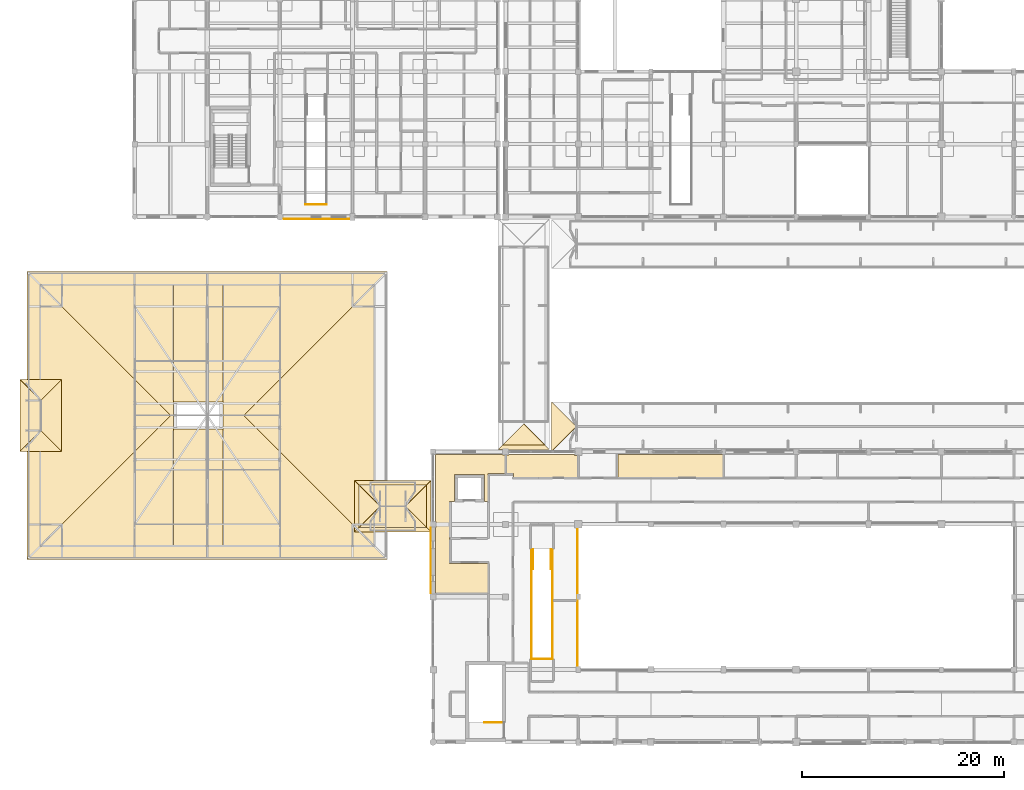
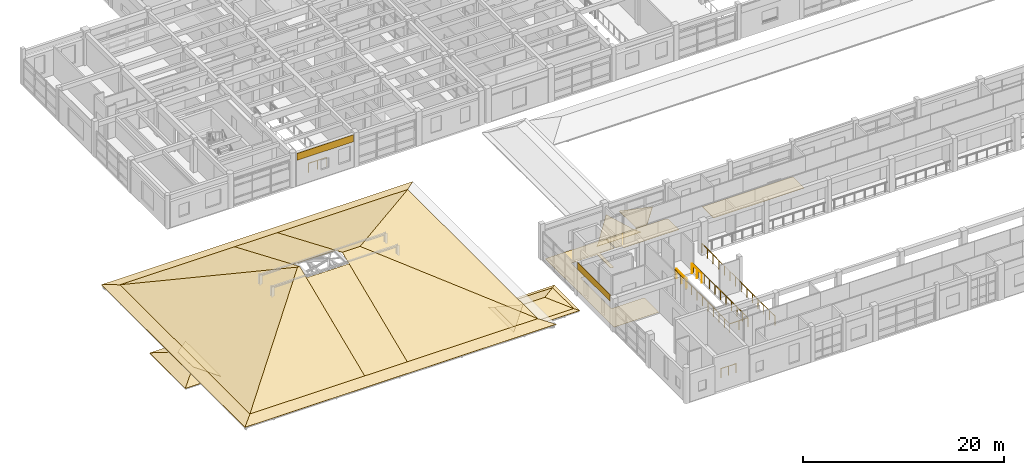
# One storey, part 99 of 110: 31 coverings, 8 railings.
"""IFC4 building model written with IfcOpenShell, lengths in metres."""

from ifc_helpers import new_model, si_unit, direction, frame, origin, origin_2d, place, context, subcontext, project, spatial, polyline, rectangle, circle, outline, extrude, material, layer, layer_set, type_object, element, save


model = new_model("IFC4")

# Units and contexts
model_context = context("Model", 3, precision=1e-05, world=origin(), true_north=direction((0.0, 1.0)))
body_context = subcontext(model_context, "Body", "Model", "MODEL_VIEW")
ifc_project = project(units=[si_unit("LENGTHUNIT", "METRE"), si_unit("AREAUNIT", "SQUARE_METRE"), si_unit("VOLUMEUNIT", "CUBIC_METRE"), si_unit("PLANEANGLEUNIT", "RADIAN"), si_unit("MASSUNIT", "GRAM", prefix="KILO")], contexts=[model_context])

# Site, building, storey
site_placement = place(None, origin())
site = spatial("IfcSite", under=ifc_project, at=site_placement, CompositionType="ELEMENT")
building_placement = place(site_placement, origin())
building = spatial("IfcBuilding", under=site, at=building_placement, Name="Steenspoor Specialist Clinic", CompositionType="ELEMENT")
storey_placement = place(building_placement, frame((0.0, 0.0, 4.800048828125)))
storey = spatial("IfcBuildingStorey", under=building, at=storey_placement, Name="L01", CompositionType="ELEMENT", Elevation=4.800048828125)

# Coverings
ifc_material_1 = material(Name="Glazed ceramic relief spandrel cladding", Category="masonry")
ifc_layer_1 = layer(ifc_material_1, 0.034912109375)
ifc_layer_set_1 = layer_set([ifc_layer_1], Name="Glazed ceramic relief spandrel cladding")
covering_type_1 = type_object("IfcCoveringType", Name="COV-CLAD-CERAMIC", PredefinedType="CLADDING", material=ifc_layer_set_1)
for number, where, z_axis, x_axis, name in (
    (1, (44.969970703125, 31.0625, 3.36474609375), (0.0, 0.0, 1.0), (0.0, 1.0, 0.0), "Spandrel Cladding 7"),
    (2, (33.637451171875, 64.919921875, 3.11474609375), (0.0, 0.0, 1.0), (-1.0, 0.0, 0.0), "Spandrel Cladding 70"),
):
    element("IfcCovering", number, at=place(storey_placement, frame(where, z_axis=z_axis, x_axis=x_axis)), inside=storey, type_object=covering_type_1, Name=name, PredefinedType="CLADDING", context=body_context, shape_type="SweptSolid", body=[
        extrude(rectangle(XDim=6.5048828125, YDim=0.0400390625, at=origin_2d()), origin(), (0.0, 0.0, 1.0), 0.840087890625),
    ])
ifc_material_2 = material(Name="Seamless clinical vinyl and terrazzo flooring", Category="plastic")
ifc_layer_2 = layer(ifc_material_2, 0.02001953125)
ifc_layer_set_2 = layer_set([ifc_layer_2], Name="Seamless clinical vinyl and terrazzo flooring")
covering_type_2 = type_object("IfcCoveringType", Name="COV-FLOOR-VINYL", PredefinedType="FLOORING", material=ifc_layer_set_2)
covering_1_placement = place(storey_placement, origin())
element("IfcCovering", 3, at=covering_1_placement, inside=storey, type_object=covering_type_2, Name="Clinical Vinyl Flooring 144", PredefinedType="FLOORING", context=body_context, shape_type="SweptSolid", body=[
    extrude(outline(polyline([(50.635009765625, 39.675048828125), (50.635009765625, 36.9150390625), (50.2900390625, 36.9150390625), (50.2900390625, 39.614990234375), (47.31005859375, 39.614990234375), (47.31005859375, 36.9150390625), (46.8349609375, 36.9150390625), (46.8349609375, 30.784912109375), (50.635009765625, 30.784912109375), (50.635009765625, 27.864990234375), (45.4599609375, 27.864990234375), (45.4599609375, 34.360107421875), (45.489990234375, 34.360107421875), (45.489990234375, 34.93994140625), (45.4599609375, 34.93994140625), (45.4599609375, 41.5849609375), (45.465087890625, 41.5849609375), (45.465087890625, 41.590087890625), (52.0849609375, 41.590087890625), (52.0849609375, 41.534912109375), (52.3349609375, 41.534912109375), (52.3349609375, 39.675048828125), (50.635009765625, 39.675048828125)])), origin(), (0.0, 0.0, 1.0), 0.02001953125),
])
covering_2_placement = place(storey_placement, origin())
element("IfcCovering", 4, at=covering_2_placement, inside=storey, type_object=covering_type_2, Name="Clinical Vinyl Flooring 148", PredefinedType="FLOORING", context=body_context, shape_type="SweptSolid", body=[
    extrude(outline(polyline([(59.235107421875, 41.590087890625), (59.235107421875, 41.485107421875), (59.534912109375, 41.485107421875), (59.534912109375, 39.31494140625), (53.1650390625, 39.31494140625), (53.1650390625, 39.675048828125), (52.465087890625, 39.675048828125), (52.465087890625, 41.534912109375), (52.715087890625, 41.534912109375), (52.715087890625, 41.590087890625), (59.235107421875, 41.590087890625)])), origin(), (0.0, 0.0, 1.0), 0.02001953125),
])
covering_3_placement = place(storey_placement, origin())
element("IfcCovering", 5, at=covering_3_placement, inside=storey, type_object=covering_type_2, Name="Clinical Vinyl Flooring 149", PredefinedType="FLOORING", context=body_context, shape_type="SweptSolid", body=[
    extrude(outline(polyline([(73.784912109375, 41.590087890625), (73.784912109375, 41.56005859375), (73.93505859375, 41.56005859375), (73.93505859375, 39.31494140625), (63.514892578125, 39.31494140625), (63.514892578125, 41.590087890625), (73.784912109375, 41.590087890625)])), origin(), (0.0, 0.0, 1.0), 0.02001953125),
])
ifc_material_3 = material(Name="Extruded terracotta clay roof tile", Category="masonry")
ifc_layer_3 = layer(ifc_material_3, 0.044921875)
ifc_layer_set_3 = layer_set([ifc_layer_3], Name="Extruded terracotta clay roof tile")
covering_type_3 = type_object("IfcCoveringType", Name="COV-ROOF-TILE", PredefinedType="ROOFING", material=ifc_layer_set_3)
covering_4_placement = place(storey_placement, frame((4.89990234375, 31.14990234375, 0.0478515625), z_axis=(0.0, -0.241957600267, 0.970286823405), x_axis=(1.0, 0.0, 0.0)))
element("IfcCovering", 6, at=covering_4_placement, inside=storey, type_object=covering_type_3, Name="Clay Tile Roofing V3 SKS", PredefinedType="ROOFING", context=body_context, shape_type="SweptSolid", body=[
    extrude(outline(polyline([(0.0, 0.0), (35.800048828125, 0.0), (34.4501953125, 1.391441812548071), (1.35009765625, 1.391441812548071), (0.0, 0.0)])), origin(), (0.0, 0.0, -1.0), 0.044921875),
])
covering_5_placement = place(storey_placement, frame((40.699951171875, 59.75, 0.0478515625), z_axis=(0.0, 0.241957600267, 0.970286823405), x_axis=(-1.0, 0.0, 0.0)))
element("IfcCovering", 7, at=covering_5_placement, inside=storey, type_object=covering_type_3, Name="Clay Tile Roofing V3 SKN", PredefinedType="ROOFING", context=body_context, shape_type="SweptSolid", body=[
    extrude(outline(polyline([(0.0, 0.0), (35.800048828125, 0.0), (34.449951171875, 1.391441812548071), (1.349853515625, 1.391441812548071), (0.0, 0.0)])), origin(), (0.0, 0.0, -1.0), 0.044921875),
])
covering_6_placement = place(storey_placement, frame((4.89990234375, 59.75, 0.0478515625), z_axis=(-0.241957600267, 0.0, 0.970286823405), x_axis=(0.0, -1.0, 0.0)))
element("IfcCovering", 8, at=covering_6_placement, inside=storey, type_object=covering_type_3, Name="Clay Tile Roofing V3 SKW", PredefinedType="ROOFING", context=body_context, shape_type="SweptSolid", body=[
    extrude(outline(polyline([(0.0, 0.0), (28.60009765625, 0.0), (27.25, 1.391441812548071), (1.35009765625, 1.391441812548071), (0.0, 0.0)])), origin(), (0.0, 0.0, -1.0), 0.044921875),
])
covering_7_placement = place(storey_placement, frame((19.449951171875, 32.5, 0.384521484375), z_axis=(0.0, -0.388707647825, 0.921361147717), x_axis=(0.0, 0.921361147717, 0.388707647825)))
element("IfcCovering", 9, at=covering_7_placement, inside=storey, type_object=covering_type_3, Name="Clay Tile Roofing V3 S1", PredefinedType="ROOFING", context=body_context, shape_type="SweptSolid", body=[
    extrude(outline(polyline([(0.0, 0.0), (14.055239038422794, 0.0), (14.055239038422794, 0.25), (0.0, 13.199951171875), (0.0, 0.0)])), origin(), (0.0, 0.0, -1.0), 0.044921875),
])
covering_8_placement = place(storey_placement, frame((24.35009765625, 45.449951171875, 5.847900390625), z_axis=(0.0, -0.388707647825, 0.921361147717), x_axis=(0.0, -0.921361147717, -0.388707647825)))
element("IfcCovering", 10, at=covering_8_placement, inside=storey, type_object=covering_type_3, Name="Clay Tile Roofing V3 S2", PredefinedType="ROOFING", context=body_context, shape_type="SweptSolid", body=[
    extrude(outline(polyline([(0.0, 0.0), (14.055239038422794, 0.0), (14.055239038422794, 15.0), (0.0, 2.0498046875), (0.0, 0.0)])), origin(), (0.0, 0.0, -1.0), 0.044921875),
])
covering_9_placement = place(storey_placement, frame((24.35009765625, 32.5, 0.384521484375), z_axis=(0.0, -0.388717481243, 0.921356999092), x_axis=(0.0, 0.921356999092, 0.388717481243)))
element("IfcCovering", 11, at=covering_9_placement, inside=storey, type_object=covering_type_3, Name="Clay Tile Roofing V3 S3", PredefinedType="ROOFING", context=body_context, shape_type="SweptSolid", body=[
    extrude(outline(polyline([(0.0, 0.0), (12.590231221645935, 0.0), (12.590231221645935, 4.900146484375), (0.0, 4.900146484375), (0.0, 0.0)])), origin(), (0.0, 0.0, -1.0), 0.044921875),
])
covering_10_placement = place(storey_placement, frame((19.449951171875, 45.449951171875, 5.847900390625), z_axis=(0.0, 0.388707647825, 0.921361147717), x_axis=(0.0, 0.921361147717, -0.388707647825)))
element("IfcCovering", 12, at=covering_10_placement, inside=storey, type_object=covering_type_3, Name="Clay Tile Roofing V3 N1", PredefinedType="ROOFING", context=body_context, shape_type="SweptSolid", body=[
    extrude(outline(polyline([(0.0, 0.0), (14.055239038422794, 0.0), (14.055239038422794, 13.199951171875), (0.0, 0.25), (0.0, 0.0)])), origin(), (0.0, 0.0, -1.0), 0.044921875),
])
covering_11_placement = place(storey_placement, frame((24.35009765625, 58.39990234375, 0.384521484375), z_axis=(0.0, 0.388707647825, 0.921361147717), x_axis=(0.0, -0.921361147717, 0.388707647825)))
element("IfcCovering", 13, at=covering_11_placement, inside=storey, type_object=covering_type_3, Name="Clay Tile Roofing V3 N2", PredefinedType="ROOFING", context=body_context, shape_type="SweptSolid", body=[
    extrude(outline(polyline([(0.0, 0.0), (14.055239038422794, 0.0), (14.055239038422794, 2.0498046875), (0.0, 15.0), (0.0, 0.0)])), origin(), (0.0, 0.0, -1.0), 0.044921875),
])
covering_12_placement = place(storey_placement, frame((19.449951171875, 58.39990234375, 0.384521484375), z_axis=(0.0, 0.388724426294, 0.921354068967), x_axis=(0.0, -0.921354068967, 0.388724426294)))
element("IfcCovering", 14, at=covering_12_placement, inside=storey, type_object=covering_type_3, Name="Clay Tile Roofing V3 N3", PredefinedType="ROOFING", context=body_context, shape_type="SweptSolid", body=[
    extrude(outline(polyline([(0.0, 0.0), (12.590006281330007, 0.0), (12.590006281330007, 4.900146484375), (0.0, 4.900146484375), (0.0, 0.0)])), origin(), (0.0, 0.0, -1.0), 0.044921875),
])
covering_13_placement = place(storey_placement, frame((6.25, 58.39990234375, 0.384521484375), z_axis=(-0.388707647825, 0.0, 0.921361147717), x_axis=(0.0, -1.0, 0.0)))
element("IfcCovering", 15, at=covering_13_placement, inside=storey, type_object=covering_type_3, Name="Clay Tile Roofing V3 W", PredefinedType="ROOFING", context=body_context, shape_type="SweptSolid", body=[
    extrude(outline(polyline([(0.0, 0.0), (25.89990234375, 0.0), (12.949951171875, 14.055239038422794), (0.0, 0.0)])), origin(), (0.0, 0.0, -1.0), 0.044921875),
])
covering_14_placement = place(storey_placement, frame((39.35009765625, 32.5, 0.384521484375), z_axis=(0.388701426994, 0.0, 0.921363772162), x_axis=(0.0, 1.0, 0.0)))
element("IfcCovering", 16, at=covering_14_placement, inside=storey, type_object=covering_type_3, Name="Clay Tile Roofing V3 E", PredefinedType="ROOFING", context=body_context, shape_type="SweptSolid", body=[
    extrude(outline(polyline([(0.0, 0.0), (25.89990234375, 0.0), (12.949951171875, 14.055463980429622), (0.0, 0.0)])), origin(), (0.0, 0.0, -1.0), 0.044921875),
])
covering_15_placement = place(storey_placement, frame((51.64990234375, 42.050048828125, -0.9521484375), z_axis=(0.0, -0.242164000082, 0.970235330765), x_axis=(1.0, 0.0, 0.0)))
element("IfcCovering", 17, at=covering_15_placement, inside=storey, type_object=covering_type_3, Name="Clay Tile Roofing WK1 SKS", PredefinedType="ROOFING", context=body_context, shape_type="SweptSolid", body=[
    extrude(outline(polyline([(0.0, 0.0), (5.10009765625, 0.0), (4.650146484375, 0.46375467642511), (0.4501953125, 0.46375467642511), (0.0, 0.0)])), origin(), (0.0, 0.0, -1.0), 0.044921875),
])
covering_16_placement = place(storey_placement, frame((52.10009765625, 42.5, -0.83984375), z_axis=(0.0, -0.537294141772, 0.84339492838), x_axis=(1.0, 0.0, 0.0)))
element("IfcCovering", 18, at=covering_16_placement, inside=storey, type_object=covering_type_3, Name="Clay Tile Roofing WK1 S", PredefinedType="ROOFING", context=body_context, shape_type="SweptSolid", body=[
    extrude(outline(polyline([(0.0, 0.0), (4.199951171875, 0.0), (2.099853515625, 2.490052507528633), (0.0, 0.0)])), origin(), (0.0, 0.0, -1.0), 0.044921875),
])
covering_17_placement = place(storey_placement, frame((37.39990234375, 33.89990234375, -1.4521484375), z_axis=(0.0, -0.242040370173, 0.970266179564), x_axis=(1.0, 0.0, 0.0)))
element("IfcCovering", 19, at=covering_17_placement, inside=storey, type_object=covering_type_3, Name="Clay Tile Roofing WK3 SKS", PredefinedType="ROOFING", context=body_context, shape_type="SweptSolid", body=[
    extrude(outline(polyline([(0.0, 0.0), (7.60009765625, 0.0), (7.150146484375, 0.463991554051844), (0.4501953125, 0.463991554051844), (0.0, 0.0)])), origin(), (0.0, 0.0, -1.0), 0.044921875),
])
covering_18_placement = place(storey_placement, frame((45.0, 39.0, -1.4521484375), z_axis=(0.0, 0.242164000082, 0.970235330765), x_axis=(-1.0, 0.0, 0.0)))
element("IfcCovering", 20, at=covering_18_placement, inside=storey, type_object=covering_type_3, Name="Clay Tile Roofing WK3 SKN", PredefinedType="ROOFING", context=body_context, shape_type="SweptSolid", body=[
    extrude(outline(polyline([(0.0, 0.0), (7.60009765625, 0.0), (7.14990234375, 0.46375467642511004), (0.449951171875, 0.46375467642511004), (0.0, 0.0)])), origin(), (0.0, 0.0, -1.0), 0.044921875),
])
covering_19_placement = place(storey_placement, frame((37.39990234375, 39.0, -1.4521484375), z_axis=(-0.242040370173, 0.0, 0.970266179564), x_axis=(0.0, -1.0, 0.0)))
element("IfcCovering", 21, at=covering_19_placement, inside=storey, type_object=covering_type_3, Name="Clay Tile Roofing WK3 SKW", PredefinedType="ROOFING", context=body_context, shape_type="SweptSolid", body=[
    extrude(outline(polyline([(0.0, 0.0), (5.10009765625, 0.0), (4.64990234375, 0.463991554051844), (0.449951171875, 0.463991554051844), (0.0, 0.0)])), origin(), (0.0, 0.0, -1.0), 0.044921875),
])
covering_20_placement = place(storey_placement, frame((45.0, 33.89990234375, -1.4521484375), z_axis=(0.242164000082, 0.0, 0.970235330765), x_axis=(0.0, 1.0, 0.0)))
element("IfcCovering", 22, at=covering_20_placement, inside=storey, type_object=covering_type_3, Name="Clay Tile Roofing WK3 SKE", PredefinedType="ROOFING", context=body_context, shape_type="SweptSolid", body=[
    extrude(outline(polyline([(0.0, 0.0), (5.10009765625, 0.0), (4.650146484375, 0.46375467642511), (0.4501953125, 0.46375467642511), (0.0, 0.0)])), origin(), (0.0, 0.0, -1.0), 0.044921875),
])
covering_21_placement = place(storey_placement, frame((37.85009765625, 34.35009765625, -1.33984375), z_axis=(0.0, -0.370608575736, 0.928789149157), x_axis=(1.0, 0.0, 0.0)))
element("IfcCovering", 23, at=covering_21_placement, inside=storey, type_object=covering_type_3, Name="Clay Tile Roofing WK3 S", PredefinedType="ROOFING", context=body_context, shape_type="SweptSolid", body=[
    extrude(outline(polyline([(0.0, 0.0), (6.699951171875, 0.0), (4.599853515625, 2.2608506112845146), (2.099853515625, 2.2608506112845146), (0.0, 0.0)])), origin(), (0.0, 0.0, -1.0), 0.044921875),
])
covering_22_placement = place(storey_placement, frame((44.550048828125, 38.550048828125, -1.33984375), z_axis=(0.0, 0.370571408463, 0.928803978905), x_axis=(-1.0, 0.0, 0.0)))
element("IfcCovering", 24, at=covering_22_placement, inside=storey, type_object=covering_type_3, Name="Clay Tile Roofing WK3 N", PredefinedType="ROOFING", context=body_context, shape_type="SweptSolid", body=[
    extrude(outline(polyline([(0.0, 0.0), (6.699951171875, 0.0), (4.60009765625, 2.261077368258246), (2.10009765625, 2.261077368258246), (0.0, 0.0)])), origin(), (0.0, 0.0, -1.0), 0.044921875),
])
covering_23_placement = place(storey_placement, frame((37.85009765625, 38.550048828125, -1.33984375), z_axis=(-0.370608575736, 0.0, 0.928789149157), x_axis=(0.0, -1.0, 0.0)))
element("IfcCovering", 25, at=covering_23_placement, inside=storey, type_object=covering_type_3, Name="Clay Tile Roofing WK3 W", PredefinedType="ROOFING", context=body_context, shape_type="SweptSolid", body=[
    extrude(outline(polyline([(0.0, 0.0), (4.199951171875, 0.0), (2.10009765625, 2.2608506112845146), (0.0, 0.0)])), origin(), (0.0, 0.0, -1.0), 0.044921875),
])
covering_24_placement = place(storey_placement, frame((44.550048828125, 34.35009765625, -1.33984375), z_axis=(0.370571408463, 0.0, 0.928803978905), x_axis=(0.0, 1.0, 0.0)))
element("IfcCovering", 26, at=covering_24_placement, inside=storey, type_object=covering_type_3, Name="Clay Tile Roofing WK3 E", PredefinedType="ROOFING", context=body_context, shape_type="SweptSolid", body=[
    extrude(outline(polyline([(0.0, 0.0), (4.199951171875, 0.0), (2.099853515625, 2.261077368258246), (0.0, 0.0)])), origin(), (0.0, 0.0, -1.0), 0.044921875),
])
covering_25_placement = place(storey_placement, frame((56.949951171875, 46.800048828125, -1.35205078125), z_axis=(-0.424884507655, 0.0, 0.905247565672), x_axis=(0.0, -1.0, 0.0)))
element("IfcCovering", 27, at=covering_25_placement, inside=storey, type_object=covering_type_3, Name="Clay Tile Roofing WK5 W", PredefinedType="ROOFING", context=body_context, shape_type="SweptSolid", body=[
    extrude(outline(polyline([(0.0, 0.0), (4.900146484375, 0.0), (2.449951171875, 2.706388025530232), (0.0, 0.0)])), origin(), (0.0, 0.0, -1.0), 0.044921875),
])
for number, where, z_axis, x_axis, name in (
    (28, (4.22998046875, 49.02001953125, -1.501953125), (-0.299536914946, 0.0, 0.95408471143), (0.0, -1.0, 0.0), "Clay Tile Roofing PORCH-WEST W"),
    (29, (8.3701171875, 41.8798828125, -1.501953125), (0.299536914946, 0.0, 0.95408471143), (0.0, 1.0, 0.0), "Clay Tile Roofing PORCH-WEST E"),
):
    element("IfcCovering", number, at=place(storey_placement, frame(where, z_axis=z_axis, x_axis=x_axis)), inside=storey, type_object=covering_type_3, Name=name, PredefinedType="ROOFING", context=body_context, shape_type="SweptSolid", body=[
        extrude(outline(polyline([(0.0, 0.0), (7.14013671875, 0.0), (5.070068359375, 2.169690316357901), (2.070068359375, 2.169690316357901), (0.0, 0.0)])), origin(), (0.0, 0.0, -1.0), 0.044921875),
    ])
for number, where, z_axis, x_axis, name in (
    (30, (4.22998046875, 41.8798828125, -1.501953125), (0.0, -0.299536914946, 0.95408471143), (1.0, 0.0, 0.0), "Clay Tile Roofing PORCH-WEST S"),
    (31, (8.3701171875, 49.02001953125, -1.501953125), (0.0, 0.299536914946, 0.95408471143), (-1.0, 0.0, 0.0), "Clay Tile Roofing PORCH-WEST N"),
):
    element("IfcCovering", number, at=place(storey_placement, frame(where, z_axis=z_axis, x_axis=x_axis)), inside=storey, type_object=covering_type_3, Name=name, PredefinedType="ROOFING", context=body_context, shape_type="SweptSolid", body=[
        extrude(outline(polyline([(0.0, 0.0), (4.14013671875, 0.0), (2.070068359375, 2.169690316357901), (0.0, 0.0)])), origin(), (0.0, 0.0, -1.0), 0.044921875),
    ])

# Railings
ifc_material_4 = material(Name="Painted architectural steel balustrade", Category="steel")
railing_type = type_object("IfcRailingType", Name="RAIL-GUARD-1100", PredefinedType="GUARDRAIL", material=ifc_material_4)
railing_1_placement = place(storey_placement, frame((52.050048828125, 15.0, 0.0)))
element("IfcRailing", 32, at=railing_1_placement, inside=storey, type_object=railing_type, Name="L01 ST-V1A top well guard 1", PredefinedType="GUARDRAIL", context=body_context, shape_type="SweptSolid", body=[
    extrude(circle(Radius=0.02392578125, at=origin_2d()), frame((0.0, 0.0, 1.076171875), z_axis=(-1.0, 0.0, 0.0), x_axis=(0.0, -1.0, 0.0)), (0.0, 0.0, 1.0), 1.75),
    extrude(circle(Radius=0.02099609375, at=origin_2d()), origin(), (0.0, 0.0, 1.0), 1.052001953125),
    extrude(circle(Radius=0.02099609375, at=origin_2d()), frame((-0.875, 0.0, 0.0)), (0.0, 0.0, 1.0), 1.052001953125),
    extrude(circle(Radius=0.02099609375, at=origin_2d()), frame((-1.75, 0.0, 0.0)), (0.0, 0.0, 1.0), 1.052001953125),
])
railing_2_placement = place(storey_placement, frame((54.955078125, 32.159912109375, 0.0)))
element("IfcRailing", 33, at=railing_2_placement, inside=storey, type_object=railing_type, Name="ST-F01 Well Guard W", PredefinedType="GUARDRAIL", context=body_context, shape_type="SweptSolid", body=[
    extrude(circle(Radius=0.02392578125, at=origin_2d()), frame((0.0, 0.0, 1.09619140625), z_axis=(0.0, -1.0, 0.0), x_axis=(1.0, 0.0, 0.0)), (0.0, 0.0, 1.0), 10.8798828125),
    extrude(circle(Radius=0.02099609375, at=origin_2d()), origin(), (0.0, 0.0, 1.0), 1.072021484375),
    extrude(circle(Radius=0.02099609375, at=origin_2d()), frame((0.0, -1.087890625, 0.0)), (0.0, 0.0, 1.0), 1.072021484375),
    extrude(circle(Radius=0.02099609375, at=origin_2d()), frame((0.0, -2.176025390625, 0.0)), (0.0, 0.0, 1.0), 1.072021484375),
    extrude(circle(Radius=0.02099609375, at=origin_2d()), frame((0.0, -3.263916015625, 0.0)), (0.0, 0.0, 1.0), 1.072021484375),
    extrude(circle(Radius=0.02099609375, at=origin_2d()), frame((0.0, -4.35205078125, 0.0)), (0.0, 0.0, 1.0), 1.072021484375),
    extrude(circle(Radius=0.02099609375, at=origin_2d()), frame((0.0, -5.43994140625, 0.0)), (0.0, 0.0, 1.0), 1.072021484375),
    extrude(circle(Radius=0.02099609375, at=origin_2d()), frame((0.0, -6.52783203125, 0.0)), (0.0, 0.0, 1.0), 1.072021484375),
    extrude(circle(Radius=0.02099609375, at=origin_2d()), frame((0.0, -7.615966796875, 0.0)), (0.0, 0.0, 1.0), 1.072021484375),
    extrude(circle(Radius=0.02099609375, at=origin_2d()), frame((0.0, -8.703857421875, 0.0)), (0.0, 0.0, 1.0), 1.072021484375),
    extrude(circle(Radius=0.02099609375, at=origin_2d()), frame((0.0, -9.7919921875, 0.0)), (0.0, 0.0, 1.0), 1.072021484375),
    extrude(circle(Radius=0.02099609375, at=origin_2d()), frame((0.0, -10.8798828125, 0.0)), (0.0, 0.0, 1.0), 1.072021484375),
])
railing_3_placement = place(storey_placement, frame((54.955078125, 21.280029296875, 0.0)))
element("IfcRailing", 34, at=railing_3_placement, inside=storey, type_object=railing_type, Name="ST-F01 Well Guard S", PredefinedType="GUARDRAIL", context=body_context, shape_type="SweptSolid", body=[
    extrude(circle(Radius=0.02392578125, at=origin_2d()), frame((0.0, 0.0, 1.09619140625), z_axis=(1.0, 0.0, 0.0), x_axis=(0.0, 1.0, 0.0)), (0.0, 0.0, 1.0), 2.08984375),
    extrude(circle(Radius=0.02099609375, at=origin_2d()), origin(), (0.0, 0.0, 1.0), 1.072021484375),
    extrude(circle(Radius=0.02099609375, at=origin_2d()), frame((1.044921875, 0.0, 0.0)), (0.0, 0.0, 1.0), 1.072021484375),
    extrude(circle(Radius=0.02099609375, at=origin_2d()), frame((2.08984375, 0.0, 0.0)), (0.0, 0.0, 1.0), 1.072021484375),
])
railing_4_placement = place(storey_placement, frame((57.044921875, 21.280029296875, 0.0)))
element("IfcRailing", 35, at=railing_4_placement, inside=storey, type_object=railing_type, Name="ST-F01 Well Guard E", PredefinedType="GUARDRAIL", context=body_context, shape_type="SweptSolid", body=[
    extrude(circle(Radius=0.02392578125, at=origin_2d()), frame((0.0, 0.0, 1.09619140625), z_axis=(0.0, 1.0, 0.0), x_axis=(-1.0, 0.0, 0.0)), (0.0, 0.0, 1.0), 10.8798828125),
    extrude(circle(Radius=0.02099609375, at=origin_2d()), origin(), (0.0, 0.0, 1.0), 1.072021484375),
    extrude(circle(Radius=0.02099609375, at=origin_2d()), frame((0.0, 1.087890625, 0.0)), (0.0, 0.0, 1.0), 1.072021484375),
    extrude(circle(Radius=0.02099609375, at=origin_2d()), frame((0.0, 2.176025390625, 0.0)), (0.0, 0.0, 1.0), 1.072021484375),
    extrude(circle(Radius=0.02099609375, at=origin_2d()), frame((0.0, 3.263916015625, 0.0)), (0.0, 0.0, 1.0), 1.072021484375),
    extrude(circle(Radius=0.02099609375, at=origin_2d()), frame((0.0, 4.35205078125, 0.0)), (0.0, 0.0, 1.0), 1.072021484375),
    extrude(circle(Radius=0.02099609375, at=origin_2d()), frame((0.0, 5.43994140625, 0.0)), (0.0, 0.0, 1.0), 1.072021484375),
    extrude(circle(Radius=0.02099609375, at=origin_2d()), frame((0.0, 6.52783203125, 0.0)), (0.0, 0.0, 1.0), 1.072021484375),
    extrude(circle(Radius=0.02099609375, at=origin_2d()), frame((0.0, 7.615966796875, 0.0)), (0.0, 0.0, 1.0), 1.072021484375),
    extrude(circle(Radius=0.02099609375, at=origin_2d()), frame((0.0, 8.703857421875, 0.0)), (0.0, 0.0, 1.0), 1.072021484375),
    extrude(circle(Radius=0.02099609375, at=origin_2d()), frame((0.0, 9.7919921875, 0.0)), (0.0, 0.0, 1.0), 1.072021484375),
    extrude(circle(Radius=0.02099609375, at=origin_2d()), frame((0.0, 10.8798828125, 0.0)), (0.0, 0.0, 1.0), 1.072021484375),
])
for number, where, name in (
    (36, (55.114990234375, 30.199951171875, 0.0), "ST-F01 Well Guard LW"),
    (37, (56.885009765625, 30.199951171875, 0.0), "ST-F01 Well Guard LE"),
):
    element("IfcRailing", number, at=place(storey_placement, frame(where)), inside=storey, type_object=railing_type, Name=name, PredefinedType="GUARDRAIL", context=body_context, shape_type="SweptSolid", body=[
        extrude(circle(Radius=0.02392578125, at=origin_2d()), frame((0.0, 0.0, 1.09619140625), z_axis=(0.0, 1.0, 0.0), x_axis=(-1.0, 0.0, 0.0)), (0.0, 0.0, 1.0), 1.9599609375),
        extrude(circle(Radius=0.02099609375, at=origin_2d()), origin(), (0.0, 0.0, 1.0), 1.072021484375),
        extrude(circle(Radius=0.02099609375, at=origin_2d()), frame((0.0, 0.97998046875, 0.0)), (0.0, 0.0, 1.0), 1.072021484375),
        extrude(circle(Radius=0.02099609375, at=origin_2d()), frame((0.0, 1.9599609375, 0.0)), (0.0, 0.0, 1.0), 1.072021484375),
    ])
railing_5_placement = place(storey_placement, frame((32.554931640625, 66.3798828125, 0.0)))
element("IfcRailing", 38, at=railing_5_placement, inside=storey, type_object=railing_type, Name="ST-F05 Well Guard S", PredefinedType="GUARDRAIL", context=body_context, shape_type="SweptSolid", body=[
    extrude(circle(Radius=0.02392578125, at=origin_2d()), frame((0.0, 0.0, 1.09619140625), z_axis=(1.0, 0.0, 0.0), x_axis=(0.0, 1.0, 0.0)), (0.0, 0.0, 1.0), 2.090087890625),
    extrude(circle(Radius=0.02099609375, at=origin_2d()), origin(), (0.0, 0.0, 1.0), 1.072021484375),
    extrude(circle(Radius=0.02099609375, at=origin_2d()), frame((1.044921875, 0.0, 0.0)), (0.0, 0.0, 1.0), 1.072021484375),
    extrude(circle(Radius=0.02099609375, at=origin_2d()), frame((2.090087890625, 0.0, 0.0)), (0.0, 0.0, 1.0), 1.072021484375),
])
railing_6_placement = place(storey_placement, frame((59.52001953125, 34.72998046875, 0.0)))
element("IfcRailing", 39, at=railing_6_placement, inside=storey, type_object=railing_type, Name="Atrium Gallery Guard V1 L01 4", PredefinedType="GUARDRAIL", context=body_context, shape_type="SweptSolid", body=[
    extrude(circle(Radius=0.02392578125, at=origin_2d()), frame((0.0, 0.0, 1.09619140625), z_axis=(0.0, -1.0, 0.0), x_axis=(1.0, 0.0, 0.0)), (0.0, 0.0, 1.0), 14.56005859375),
    extrude(circle(Radius=0.02099609375, at=origin_2d()), origin(), (0.0, 0.0, 1.0), 1.072021484375),
    extrude(circle(Radius=0.02099609375, at=origin_2d()), frame((0.0, -1.1201171875, 0.0)), (0.0, 0.0, 1.0), 1.072021484375),
    extrude(circle(Radius=0.02099609375, at=origin_2d()), frame((0.0, -2.239990234375, 0.0)), (0.0, 0.0, 1.0), 1.072021484375),
    extrude(circle(Radius=0.02099609375, at=origin_2d()), frame((0.0, -3.360107421875, 0.0)), (0.0, 0.0, 1.0), 1.072021484375),
    extrude(circle(Radius=0.02099609375, at=origin_2d()), frame((0.0, -4.47998046875, 0.0)), (0.0, 0.0, 1.0), 1.072021484375),
    extrude(circle(Radius=0.02099609375, at=origin_2d()), frame((0.0, -5.60009765625, 0.0)), (0.0, 0.0, 1.0), 1.072021484375),
    extrude(circle(Radius=0.02099609375, at=origin_2d()), frame((0.0, -6.719970703125, 0.0)), (0.0, 0.0, 1.0), 1.072021484375),
    extrude(circle(Radius=0.02099609375, at=origin_2d()), frame((0.0, -7.840087890625, 0.0)), (0.0, 0.0, 1.0), 1.072021484375),
    extrude(circle(Radius=0.02099609375, at=origin_2d()), frame((0.0, -8.9599609375, 0.0)), (0.0, 0.0, 1.0), 1.072021484375),
    extrude(circle(Radius=0.02099609375, at=origin_2d()), frame((0.0, -10.080078125, 0.0)), (0.0, 0.0, 1.0), 1.072021484375),
    extrude(circle(Radius=0.02099609375, at=origin_2d()), frame((0.0, -11.199951171875, 0.0)), (0.0, 0.0, 1.0), 1.072021484375),
    extrude(circle(Radius=0.02099609375, at=origin_2d()), frame((0.0, -12.320068359375, 0.0)), (0.0, 0.0, 1.0), 1.072021484375),
    extrude(circle(Radius=0.02099609375, at=origin_2d()), frame((0.0, -13.43994140625, 0.0)), (0.0, 0.0, 1.0), 1.072021484375),
    extrude(circle(Radius=0.02099609375, at=origin_2d()), frame((0.0, -14.56005859375, 0.0)), (0.0, 0.0, 1.0), 1.072021484375),
])

save(model, "model.ifc")
